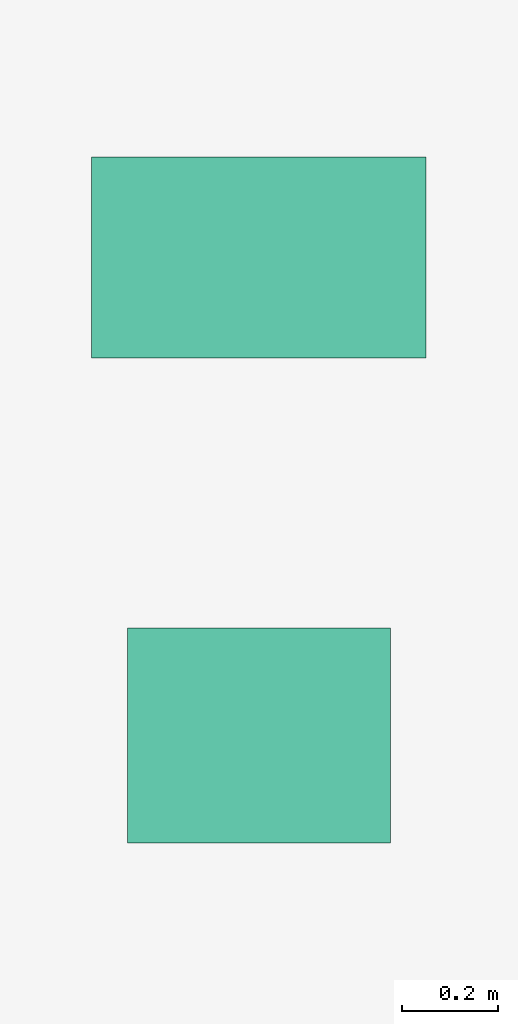
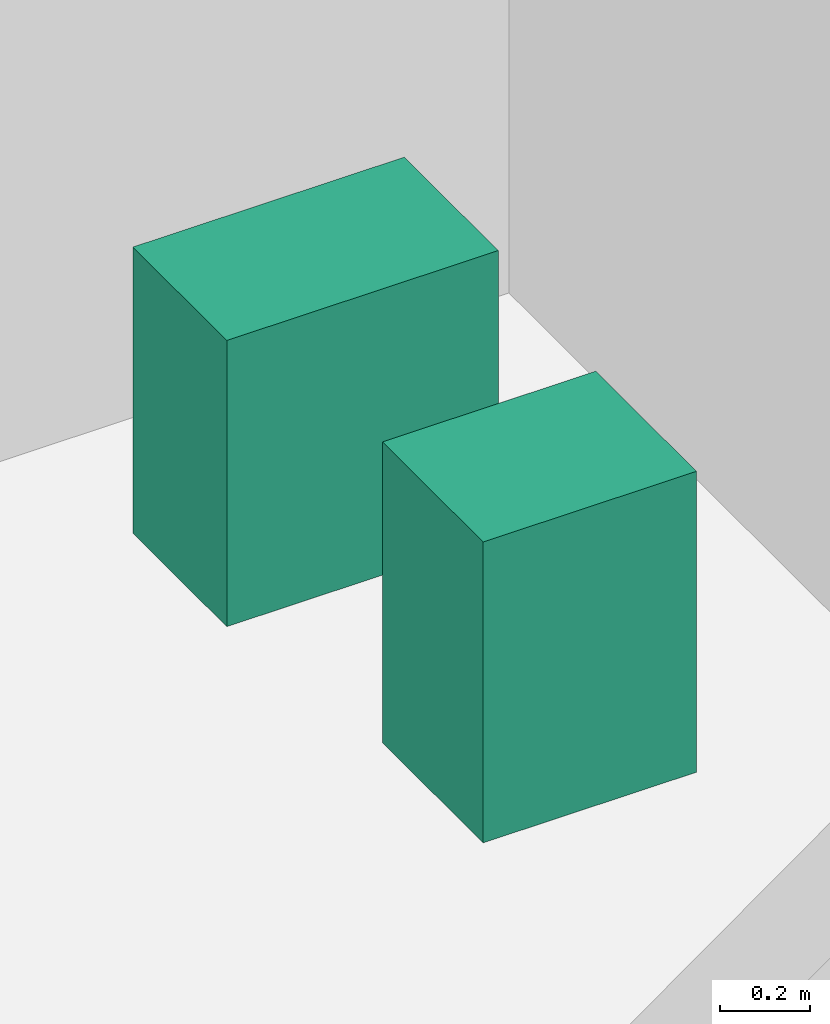
# One storey, part 26 of 26: 2 sanitary terminals.
"""IFC4 building model written with IfcOpenShell, lengths in metres."""

import ifcopenshell
import ifcopenshell.guid

model = None  # the IFC model being written
_history = None  # IfcOwnerHistory: only IFC2X3 demands one
_inside = {}  # id of a spatial element -> (the spatial element, [elements in it])
_under = {}  # id of a project, library or spatial element -> (it, [spatial elements below it])
_declared = {}  # id of a project -> (the project, [libraries it declares])
_typed = {}  # id of a type object -> (the type object, [elements of that type])
_made_of = {}  # id of a material, layer set ... -> (it, [elements and type objects made of it])


def new_model(schema):
    """Start an empty IFC model of exactly this schema.

    Asked for "IFC4X3", IfcOpenShell would pick the latest addendum, in which some entities
    have other attributes; the version numbers below select the first issue.
    IFC2X3 requires an IfcOwnerHistory on every rooted entity: one is made here for all.
    """
    global model, _history
    if schema == "IFC4X3":
        model = ifcopenshell.file(schema_version=(4, 3, 0, 0))
    else:
        model = ifcopenshell.file(schema=schema)
    _inside.clear()
    _under.clear()
    _declared.clear()
    _typed.clear()
    _made_of.clear()
    _history = None
    if model.schema == "IFC2X3":
        org = make("IfcOrganization", Name="unknown")
        user = make(
            "IfcPersonAndOrganization",
            ThePerson=make("IfcPerson", FamilyName="unknown"),
            TheOrganization=org,
        )
        app = make(
            "IfcApplication",
            ApplicationDeveloper=org,
            Version="unknown",
            ApplicationFullName="unknown",
            ApplicationIdentifier="unknown",
        )
        _history = make(
            "IfcOwnerHistory",
            OwningUser=user,
            OwningApplication=app,
            ChangeAction="ADDED",
            CreationDate=0,
        )
    return model


def make(cls, **values):
    """One entity of the class cls with the attributes given. An attribute that is None is left unset."""
    return model.create_entity(
        cls, **{name: value for name, value in values.items() if value is not None}
    )


def rooted(cls, **values):
    """An entity with a GlobalId (a new one), such as an element, a storey or a relation."""
    return make(cls, GlobalId=ifcopenshell.guid.new(), OwnerHistory=_history, **values)


def si_unit(unit_type, name, prefix=None):
    """IfcSIUnit, for example si_unit("LENGTHUNIT", "METRE", prefix="MILLI")."""
    return make("IfcSIUnit", UnitType=unit_type, Prefix=prefix, Name=name)


def assignment(units):
    """IfcUnitAssignment: the units of a project."""
    return None if units is None else make("IfcUnitAssignment", Units=units)


def point(xyz):
    """IfcCartesianPoint."""
    return None if xyz is None else make("IfcCartesianPoint", Coordinates=xyz)


def direction(xyz):
    """IfcDirection."""
    return None if xyz is None else make("IfcDirection", DirectionRatios=xyz)


def frame(location, z_axis=None, x_axis=None):
    """IfcAxis2Placement3D, a coordinate frame: its origin and axes. An axis left out is left unset."""
    return make(
        "IfcAxis2Placement3D",
        Location=point(location),
        Axis=direction(z_axis),
        RefDirection=direction(x_axis),
    )


def frame_2d(location, x_axis=None):
    """IfcAxis2Placement2D, a coordinate frame in the plane: its origin and x axis."""
    return make(
        "IfcAxis2Placement2D", Location=point(location), RefDirection=direction(x_axis)
    )


def origin():
    """The frame at (0, 0, 0) with its axes left unset."""
    return frame((0.0, 0.0, 0.0))


def origin_2d():
    """The frame at (0, 0) in the plane with its x axis left unset."""
    return frame_2d((0.0, 0.0))


def place(relative_to, where):
    """IfcLocalPlacement: puts the frame where relative to a parent placement (None: the world)."""
    return make(
        "IfcLocalPlacement", PlacementRelTo=relative_to, RelativePlacement=where
    )


def context(
    kind, dimensions, precision=None, world=None, true_north=None, identifier=None
):
    """IfcGeometricRepresentationContext, for example the 3D "Model" context."""
    return make(
        "IfcGeometricRepresentationContext",
        ContextIdentifier=identifier,
        ContextType=kind,
        CoordinateSpaceDimension=dimensions,
        Precision=precision,
        WorldCoordinateSystem=world,
        TrueNorth=true_north,
    )


def subcontext(parent, identifier, kind, view, scale=None):
    """IfcGeometricRepresentationSubContext, for example "Body" below "Model"."""
    return make(
        "IfcGeometricRepresentationSubContext",
        ContextIdentifier=identifier,
        ContextType=kind,
        ParentContext=parent,
        TargetScale=scale,
        TargetView=view,
    )


def project(units=None, contexts=None):
    """IfcProject with its units and contexts."""
    return rooted(
        "IfcProject",
        Name="project",
        RepresentationContexts=contexts,
        UnitsInContext=assignment(units),
    )


def spatial(cls, under=None, at=None, **own):
    """A site, building, storey or space (cls), placed at a placement, below another one or the project."""
    s = rooted(cls, ObjectPlacement=at, **own)
    if under is not None:
        _under.setdefault(under.id(), (under, []))[1].append(s)
    return s


def profile(cls, at=None, kind="AREA", **sizes):
    """A parametric profile (cls). Its sizes go by their IFC names, for example OverallWidth=200.0."""
    return make(cls, ProfileType=kind, Position=at, **sizes)


def rectangle(**sizes):
    """IfcRectangleProfileDef."""
    return profile("IfcRectangleProfileDef", **sizes)


def extrude(swept, where, along, depth):
    """IfcExtrudedAreaSolid: the profile swept, set in the frame where, extruded along a direction by depth."""
    return make(
        "IfcExtrudedAreaSolid",
        SweptArea=swept,
        Position=where,
        ExtrudedDirection=direction(along),
        Depth=depth,
    )


def shape(context_of_items, identifier, shape_type, items):
    """IfcShapeRepresentation: the items that make up one representation, for example the "Body"."""
    return make(
        "IfcShapeRepresentation",
        ContextOfItems=context_of_items,
        RepresentationIdentifier=identifier,
        RepresentationType=shape_type,
        Items=items,
    )


def source(mapping_origin, context_of_items, identifier, shape_type, items):
    """IfcRepresentationMap: a shape defined once, which mapped items show again and again."""
    return make(
        "IfcRepresentationMap",
        MappingOrigin=mapping_origin,
        MappedRepresentation=shape(context_of_items, identifier, shape_type, items),
    )


def transform(
    local_origin,
    x_axis=None,
    y_axis=None,
    z_axis=None,
    scale=None,
    scale2=None,
    scale3=None,
    uniform=True,
):
    """IfcCartesianTransformationOperator3D, or its non-uniform kind. x_axis, y_axis, z_axis: its Axis1, 2, 3."""
    if uniform:
        return make(
            "IfcCartesianTransformationOperator3D",
            Axis1=direction(x_axis),
            Axis2=direction(y_axis),
            LocalOrigin=point(local_origin),
            Scale=scale,
            Axis3=direction(z_axis),
        )
    return make(
        "IfcCartesianTransformationOperator3DnonUniform",
        Axis1=direction(x_axis),
        Axis2=direction(y_axis),
        LocalOrigin=point(local_origin),
        Scale=scale,
        Axis3=direction(z_axis),
        Scale2=scale2,
        Scale3=scale3,
    )


def mapped(mapping_source, mapping_target):
    """IfcMappedItem: shows the shape of a source again, moved by a transform."""
    return make(
        "IfcMappedItem", MappingSource=mapping_source, MappingTarget=mapping_target
    )


def material(Name=None, Category=None):
    """IfcMaterial."""
    return make("IfcMaterial", Name=Name, Category=Category)


def made_of(thing, what):
    """Note that an element or type object is made of a material, layer set ...; save() writes the relation."""
    if what is not None:
        _made_of.setdefault(what.id(), (what, []))[1].append(thing)
    return thing


def type_object(cls, material=None, **own):
    """A type object (cls), such as IfcWallType, which elements share."""
    return made_of(rooted(cls, **own), material)


def element(
    cls,
    number,
    at=None,
    inside=None,
    cuts=None,
    type_object=None,
    material=None,
    context=None,
    identifier="Body",
    shape_type=None,
    held_by="IfcProductDefinitionShape",
    body=None,
    shapes=None,
    **own,
):
    """One element of the class cls, such as IfcWall. Its Tag is "e" and its number.

    at: its placement. inside: the storey or other place that contains it. cuts: it is an
    opening in that element (IfcRelVoidsElement). A single representation is given by context,
    identifier, shape_type and body (its items); several are given by shapes. held_by: the class
    of the entity that holds the representations. save() writes the other relations.
    """
    e = rooted(cls, Tag="e%d" % number, ObjectPlacement=at, **own)
    if body is not None:
        shapes = [shape(context, identifier, shape_type, body)]
    if shapes is not None:
        e.Representation = make(held_by, Representations=shapes)
    if inside is not None:
        _inside.setdefault(inside.id(), (inside, []))[1].append(e)
    if cuts is not None:
        rooted(
            "IfcRelVoidsElement", RelatingBuildingElement=cuts, RelatedOpeningElement=e
        )
    if type_object is not None:
        _typed.setdefault(type_object.id(), (type_object, []))[1].append(e)
    return made_of(e, material)


def aggregate(whole, parts):
    """IfcRelAggregates: a whole, such as a stair, and the parts it consists of."""
    return rooted("IfcRelAggregates", RelatingObject=whole, RelatedObjects=parts)


def save(model, path):
    """Write the relations noted so far, then the file.

    IfcRelAggregates (storeys below a building ...), IfcRelContainedInSpatialStructure (elements
    in a storey), IfcRelDefinesByType, IfcRelAssociatesMaterial and IfcRelDeclares: one each for
    every whole, place, type object, material and project.
    """
    for whole, parts in _under.values():
        aggregate(whole, parts)
    for where, things in _inside.values():
        rooted(
            "IfcRelContainedInSpatialStructure",
            RelatedElements=things,
            RelatingStructure=where,
        )
    for kind, things in _typed.values():
        rooted("IfcRelDefinesByType", RelatedObjects=things, RelatingType=kind)
    for what, things in _made_of.values():
        rooted("IfcRelAssociatesMaterial", RelatedObjects=things, RelatingMaterial=what)
    for by, libraries in _declared.values():
        rooted("IfcRelDeclares", RelatingContext=by, RelatedDefinitions=libraries)
    model.write(path)


model = new_model("IFC4")

# Units and contexts
model_context = context("Model", 3, precision=1e-05, world=origin(), true_north=direction((0.0, 1.0)))
body_context = subcontext(model_context, "Body", "Model", "MODEL_VIEW")
ifc_project = project(units=[si_unit("LENGTHUNIT", "METRE"), si_unit("AREAUNIT", "SQUARE_METRE"), si_unit("VOLUMEUNIT", "CUBIC_METRE"), si_unit("PLANEANGLEUNIT", "RADIAN"), si_unit("MASSUNIT", "GRAM", prefix="KILO")], contexts=[model_context])

# Site, building, storey
site_placement = place(None, origin())
site = spatial("IfcSite", under=ifc_project, at=site_placement, CompositionType="ELEMENT")
building_placement = place(site_placement, origin())
building = spatial("IfcBuilding", under=site, at=building_placement, Name="Sumidabori Civic Tower", CompositionType="ELEMENT")
storey_placement = place(building_placement, frame((0.0, 0.0, 250.39990234375)))
storey = spatial("IfcBuildingStorey", under=building, at=storey_placement, Name="L65", CompositionType="ELEMENT", Elevation=250.39990234375)

# Sanitary terminals
ifc_material = material(Name="Vitreous Sanitary Porcelain")
sanitary_terminal_type_1 = type_object("IfcSanitaryTerminalType", Name="SN-WC-1", PredefinedType="TOILETPAN", material=ifc_material)
shared_shape_1 = source(origin(), body_context, "Body", "SweptSolid", [
    extrude(rectangle(XDim=0.699951171875, YDim=0.419921875, at=origin_2d()), origin(), (0.0, 0.0, 1.0), 0.780029296875),
])
sanitary_terminal_1_placement = place(storey_placement, frame((10.800048828125, 21.85009765625, 0.0), z_axis=(0.0, 0.0, 1.0), x_axis=(1.0, 0.0, 0.0)))
element("IfcSanitaryTerminal", 1, at=sanitary_terminal_1_placement, inside=storey, type_object=sanitary_terminal_type_1, Name="Accessible WC Pan L65", PredefinedType="TOILETPAN", context=body_context, shape_type="MappedRepresentation", body=[
    mapped(shared_shape_1, transform((0.0, 0.0, 0.0), x_axis=(1.0, 0.0, 0.0), y_axis=(0.0, 1.0, 0.0), z_axis=(0.0, 0.0, 1.0), scale=1.0)),
])
sanitary_terminal_type_2 = type_object("IfcSanitaryTerminalType", Name="SN-BAS-1", PredefinedType="WASHHANDBASIN", material=ifc_material)
shared_shape_2 = source(origin(), body_context, "Body", "SweptSolid", [
    extrude(rectangle(XDim=0.550048828125, YDim=0.449951171875, at=origin_2d()), origin(), (0.0, 0.0, 1.0), 0.820068359375),
])
sanitary_terminal_2_placement = place(storey_placement, frame((10.800048828125, 20.85009765625, 0.0), z_axis=(0.0, 0.0, 1.0), x_axis=(1.0, 0.0, 0.0)))
element("IfcSanitaryTerminal", 2, at=sanitary_terminal_2_placement, inside=storey, type_object=sanitary_terminal_type_2, Name="Accessible Basin L65", PredefinedType="WASHHANDBASIN", context=body_context, shape_type="MappedRepresentation", body=[
    mapped(shared_shape_2, transform((0.0, 0.0, 0.0), x_axis=(1.0, 0.0, 0.0), y_axis=(0.0, 1.0, 0.0), z_axis=(0.0, 0.0, 1.0), scale=1.0)),
])

save(model, "model.ifc")
